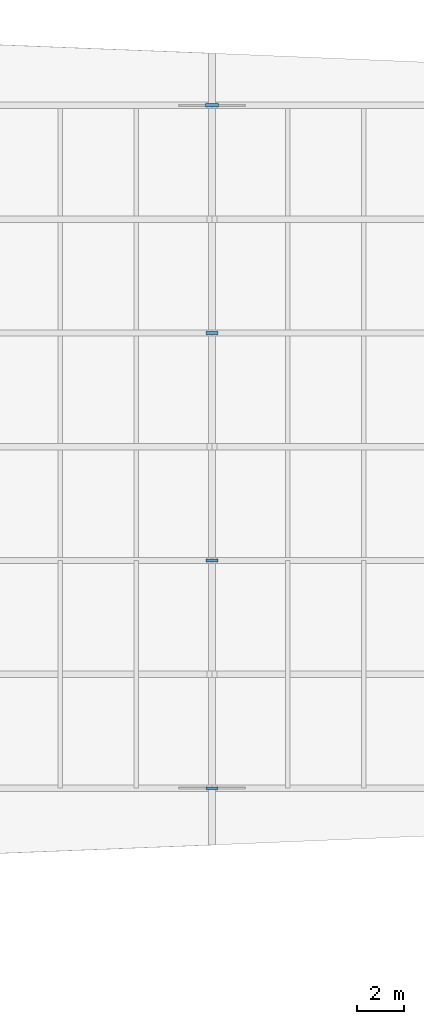
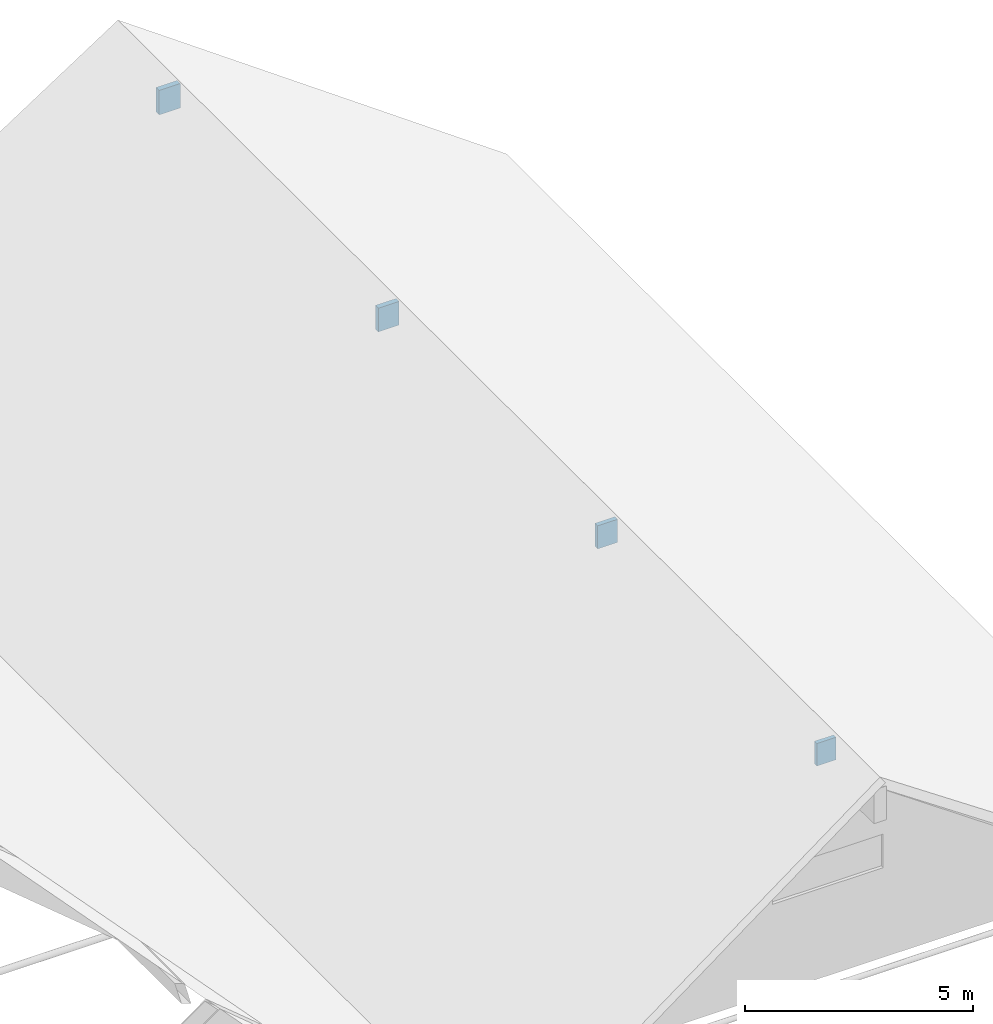
# One storey, part 29 of 42: 4 plates.
"""IFC4 building model written with IfcOpenShell, lengths in metres."""

from ifc_helpers import new_model, si_unit, direction, frame, origin, origin_2d, place, context, subcontext, project, spatial, rectangle, extrude, material, layer, layer_set, type_object, element, save


model = new_model("IFC4")

# Units and contexts
model_context = context("Model", 3, precision=1e-05, world=origin(), true_north=direction((0.0, 1.0)))
body_context = subcontext(model_context, "Body", "Model", "MODEL_VIEW")
ifc_project = project(units=[si_unit("LENGTHUNIT", "METRE"), si_unit("AREAUNIT", "SQUARE_METRE"), si_unit("VOLUMEUNIT", "CUBIC_METRE"), si_unit("PLANEANGLEUNIT", "RADIAN"), si_unit("MASSUNIT", "GRAM", prefix="KILO")], contexts=[model_context])

# Site, building, storey
site_placement = place(None, origin())
site = spatial("IfcSite", under=ifc_project, at=site_placement, CompositionType="ELEMENT")
building_placement = place(site_placement, origin())
building = spatial("IfcBuilding", under=site, at=building_placement, Name="Kolvemor Railside Polytechnic", CompositionType="ELEMENT")
storey_placement = place(building_placement, frame((0.0, 0.0, 14.39990234375)))
storey = spatial("IfcBuildingStorey", under=building, at=storey_placement, Name="L03", CompositionType="ELEMENT", Elevation=14.39990234375)

# Plates
ifc_material_1 = material(Name="Steel S355", Category="steel")
ifc_layer_1 = layer(ifc_material_1, 0.10791015625, Name="PLT-GUSSET-10")
ifc_layer_set_1 = layer_set([ifc_layer_1], Name="Steel S355")
plate_type_1 = type_object("IfcPlateType", Name="PLT-GUSSET-10", PredefinedType="USERDEFINED", material=ifc_layer_set_1)
plate_1_placement = place(storey_placement, frame((144.0, 91.199951171875, 1.457275390625), z_axis=(0.0, 0.0, 1.0), x_axis=(1.0, 0.0, 0.0)))
element("IfcPlate", 1, at=plate_1_placement, inside=storey, type_object=plate_type_1, Name="Ridge Gusset Plate GP-7-1", ObjectType="GUSSET PLATE", PredefinedType="USERDEFINED", context=body_context, shape_type="SweptSolid", body=[
    extrude(rectangle(XDim=0.489990234375, YDim=0.10791015625, at=origin_2d()), origin(), (0.0, 0.0, 1.0), 0.60009765625),
])
ifc_material_2 = material(Name="Steel S355", Category="steel")
ifc_layer_2 = layer(ifc_material_2, 0.117919921875, Name="PLT-GUSSET-11")
ifc_layer_set_2 = layer_set([ifc_layer_2], Name="Steel S355")
plate_type_2 = type_object("IfcPlateType", Name="PLT-GUSSET-11", PredefinedType="USERDEFINED", material=ifc_layer_set_2)
plate_2_placement = place(storey_placement, frame((144.0, 100.800048828125, 1.4482421875), z_axis=(0.0, 0.0, 1.0), x_axis=(1.0, 0.0, 0.0)))
element("IfcPlate", 2, at=plate_2_placement, inside=storey, type_object=plate_type_2, Name="Ridge Gusset Plate GP-7-2", ObjectType="GUSSET PLATE", PredefinedType="USERDEFINED", context=body_context, shape_type="SweptSolid", body=[
    extrude(rectangle(XDim=0.5048828125, YDim=0.117919921875, at=origin_2d()), origin(), (0.0, 0.0, 1.0), 0.617919921875),
])
ifc_material_3 = material(Name="Steel S355", Category="steel")
ifc_layer_3 = layer(ifc_material_3, 0.1279296875, Name="PLT-GUSSET-12")
ifc_layer_set_3 = layer_set([ifc_layer_3], Name="Steel S355")
plate_type_3 = type_object("IfcPlateType", Name="PLT-GUSSET-12", PredefinedType="USERDEFINED", material=ifc_layer_set_3)
plate_3_placement = place(storey_placement, frame((144.0, 110.39990234375, 1.439453125), z_axis=(0.0, 0.0, 1.0), x_axis=(1.0, 0.0, 0.0)))
element("IfcPlate", 3, at=plate_3_placement, inside=storey, type_object=plate_type_3, Name="Ridge Gusset Plate GP-7-3", ObjectType="GUSSET PLATE", PredefinedType="USERDEFINED", context=body_context, shape_type="SweptSolid", body=[
    extrude(rectangle(XDim=0.52001953125, YDim=0.1279296875, at=origin_2d()), origin(), (0.0, 0.0, 1.0), 0.635986328125),
])
ifc_material_4 = material(Name="Steel S355", Category="steel")
ifc_layer_4 = layer(ifc_material_4, 0.137939453125, Name="PLT-GUSSET-13")
ifc_layer_set_4 = layer_set([ifc_layer_4], Name="Steel S355")
plate_type_4 = type_object("IfcPlateType", Name="PLT-GUSSET-13", PredefinedType="USERDEFINED", material=ifc_layer_set_4)
plate_4_placement = place(storey_placement, frame((144.0, 120.0, 1.43017578125), z_axis=(0.0, 0.0, 1.0), x_axis=(1.0, 0.0, 0.0)))
element("IfcPlate", 4, at=plate_4_placement, inside=storey, type_object=plate_type_4, Name="Ridge Gusset Plate GP-7-4", ObjectType="GUSSET PLATE", PredefinedType="USERDEFINED", context=body_context, shape_type="SweptSolid", body=[
    extrude(rectangle(XDim=0.534912109375, YDim=0.137939453125, at=origin_2d()), origin(), (0.0, 0.0, 1.0), 0.654052734375),
])

save(model, "model.ifc")
